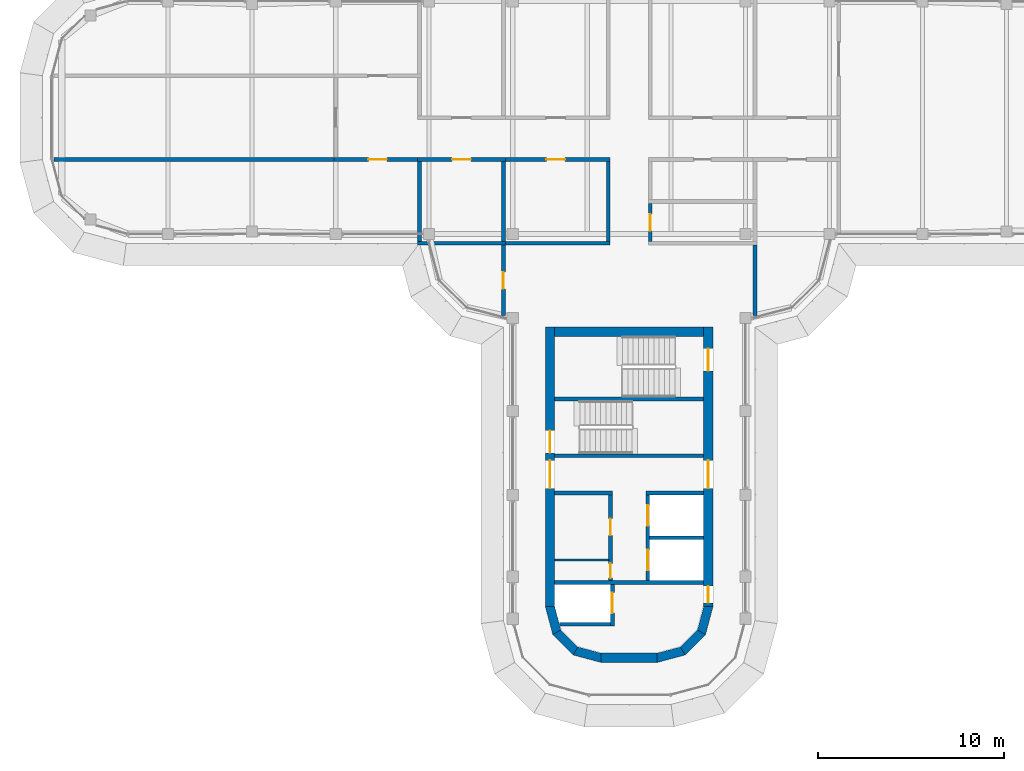
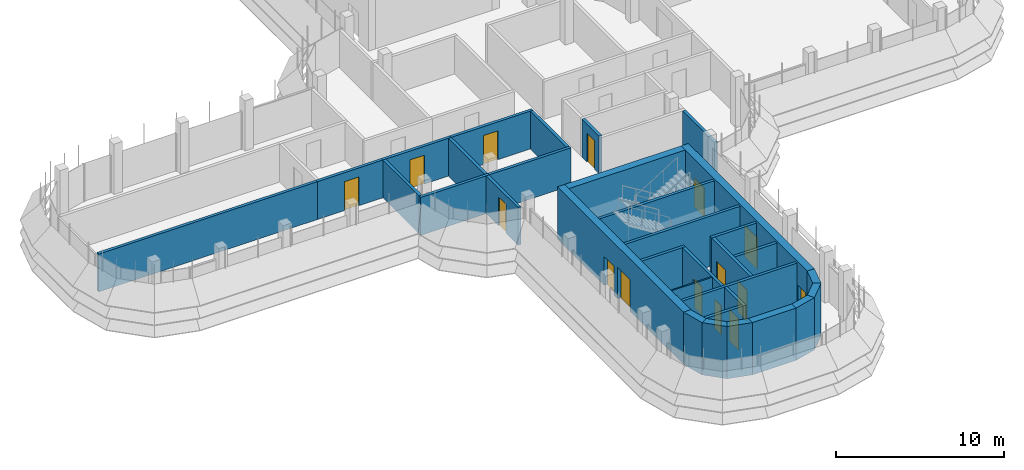
# One storey, part 13 of 19: 33 walls, 15 doors, 15 openings.
"""IFC4 building model written with IfcOpenShell, lengths in metres."""

from ifc_helpers import new_model, si_unit, direction, frame, frame_2d, origin, place, context, subcontext, project, spatial, polyline, rectangle, outline, extrude, material, layer, layer_set, type_object, element, fill, save


model = new_model("IFC4")

# Units and contexts
model_context = context("Model", 3, precision=1e-05, world=origin(), true_north=direction((0.0, 1.0)))
body_context = subcontext(model_context, "Body", "Model", "MODEL_VIEW")
ifc_project = project(units=[si_unit("LENGTHUNIT", "METRE"), si_unit("AREAUNIT", "SQUARE_METRE"), si_unit("VOLUMEUNIT", "CUBIC_METRE"), si_unit("PLANEANGLEUNIT", "RADIAN"), si_unit("MASSUNIT", "GRAM", prefix="KILO")], contexts=[model_context])

# Site, building, storey
site_placement = place(None, origin())
site = spatial("IfcSite", under=ifc_project, at=site_placement, CompositionType="ELEMENT")
building_placement = place(site_placement, origin())
building = spatial("IfcBuilding", under=site, at=building_placement, Name="Zarbagh Exchange Tower", CompositionType="ELEMENT")
storey_placement = place(building_placement, frame((0.0, 0.0, 280.199951171875)))
storey = spatial("IfcBuildingStorey", under=building, at=storey_placement, Name="L69", CompositionType="ELEMENT", Elevation=280.199951171875)

# Wall
ifc_material_1 = material(Name="Dense blockwork", Category="masonry")
ifc_layer_1 = layer(ifc_material_1, 0.10009765625)
ifc_layer_set_1 = layer_set([ifc_layer_1], Name="Core partition 100 mm blockwork")
wall_type_1 = type_object("IfcWallType", Name="Core partition 100 mm blockwork", PredefinedType="PARTITIONING", material=ifc_layer_set_1)
wall_1_placement = place(storey_placement, frame((-1.10009765625, -23.75, 0.0), z_axis=(0.0, 0.0, 1.0), x_axis=(-1.0, 0.0, 0.0)))
element("IfcWall", 1, at=wall_1_placement, inside=storey, type_object=wall_type_1, Name="South core partition wall CUT-E-460", PredefinedType="PARTITIONING", context=body_context, shape_type="SweptSolid", body=[
    extrude(rectangle(XDim=2.89990234375, YDim=0.10009765625, at=frame_2d((1.449951171875, 0.0))), origin(), (0.0, 0.0, 1.0), 3.650146484375),
])

# Wall, opening, door
ifc_material_2 = material(Name="Fire-rated plasterboard partition")
ifc_layer_2 = layer(ifc_material_2, 0.199951171875)
ifc_layer_set_2 = layer_set([ifc_layer_2], Name="RATED PARTITION 200")
wall_type_2 = type_object("IfcWallType", Name="RATED PARTITION 200", PredefinedType="PARTITIONING", material=ifc_layer_set_2)
wall_2_placement = place(storey_placement, frame((-1.02490234375, -2.25, 0.0), z_axis=(0.0, 0.0, 1.0), x_axis=(-1.0, 0.0, 0.0)))
wall_2 = element("IfcWall", 2, at=wall_2_placement, inside=storey, type_object=wall_type_2, Name="Partition W-2907", PredefinedType="PARTITIONING", context=body_context, shape_type="SweptSolid", body=[
    extrude(rectangle(XDim=5.8251953125, YDim=0.199951171875, at=frame_2d((2.91259765625, 0.0))), origin(), (0.0, 0.0, 1.0), 2.75),
])
opening_1_placement = place(wall_2_placement, frame((2.41259765625, 0.0, 0.0)))
opening_1 = element("IfcOpeningElement", 3, at=opening_1_placement, cuts=wall_2, Name="Opening D-2911", PredefinedType="OPENING", context=body_context, shape_type="SweptSolid", body=[
    extrude(rectangle(XDim=1.0, YDim=2.10009765625, at=frame_2d((0.5, 1.050048828125))), frame((0.0, 0.10986328125, 0.0), z_axis=(0.0, -1.0, 0.0), x_axis=(1.0, 0.0, 0.0)), (0.0, 0.0, 1.0), 0.219970703125),
])
ifc_material_3 = material(Name="Steel door set", Category="steel")
door_type_1 = type_object("IfcDoorType", Name="FIRE DOOR 1000 X 2100 FD30S", OperationType="NOTDEFINED", PredefinedType="DOOR", material=ifc_material_3)
door_1_placement = place(opening_1_placement, origin())
door_1 = element("IfcDoor", 4, at=door_1_placement, inside=storey, type_object=door_type_1, Name="Door D-2911", OperationType="SINGLE_SWING_RIGHT", OverallHeight=2.10009765625, OverallWidth=1.0, PredefinedType="DOOR", context=body_context, shape_type="SweptSolid", body=[
    extrude(rectangle(XDim=1.0, YDim=2.10009765625, at=frame_2d((0.5, 1.050048828125))), frame((0.0, 0.02490234375, 0.0), z_axis=(0.0, -1.0, 0.0), x_axis=(1.0, 0.0, 0.0)), (0.0, 0.0, 1.0), 0.050048828125),
])
fill(opening_1, door_1)

wall_3_placement = place(storey_placement, frame((-6.64990234375, -2.25, 0.0), z_axis=(0.0, 0.0, 1.0), x_axis=(-1.0, 0.0, 0.0)))
wall_3 = element("IfcWall", 5, at=wall_3_placement, inside=storey, type_object=wall_type_2, Name="Partition W-2908", PredefinedType="PARTITIONING", context=body_context, shape_type="SweptSolid", body=[
    extrude(rectangle(XDim=4.7001953125, YDim=0.199951171875, at=frame_2d((2.35009765625, 0.0))), origin(), (0.0, 0.0, 1.0), 2.75),
])
opening_2_placement = place(wall_3_placement, frame((1.85009765625, 0.0, 0.0)))
opening_2 = element("IfcOpeningElement", 6, at=opening_2_placement, cuts=wall_3, Name="Opening D-2912", PredefinedType="OPENING", context=body_context, shape_type="SweptSolid", body=[
    extrude(rectangle(XDim=1.0, YDim=2.10009765625, at=frame_2d((0.5, 1.050048828125))), frame((0.0, 0.10986328125, 0.0), z_axis=(0.0, -1.0, 0.0), x_axis=(1.0, 0.0, 0.0)), (0.0, 0.0, 1.0), 0.219970703125),
])
door_2_placement = place(opening_2_placement, origin())
door_2 = element("IfcDoor", 7, at=door_2_placement, inside=storey, type_object=door_type_1, Name="Door D-2912", OperationType="SINGLE_SWING_RIGHT", OverallHeight=2.10009765625, OverallWidth=1.0, PredefinedType="DOOR", context=body_context, shape_type="SweptSolid", body=[
    extrude(rectangle(XDim=1.0, YDim=2.10009765625, at=frame_2d((0.5, 1.050048828125))), frame((0.0, 0.02490234375, 0.0), z_axis=(0.0, -1.0, 0.0), x_axis=(1.0, 0.0, 0.0)), (0.0, 0.0, 1.0), 0.050048828125),
])
fill(opening_2, door_2)

wall_4_placement = place(storey_placement, frame((1.125, -4.60009765625, 0.0), z_axis=(0.0, 0.0, 1.0), x_axis=(0.0, -1.0, 0.0)))
wall_4 = element("IfcWall", 8, at=wall_4_placement, inside=storey, type_object=wall_type_2, Name="Partition W-2913", PredefinedType="PARTITIONING", context=body_context, shape_type="SweptSolid", body=[
    extrude(rectangle(XDim=2.0498046875, YDim=0.199951171875, at=frame_2d((1.02490234375, 0.0))), origin(), (0.0, 0.0, 1.0), 2.75),
])
opening_3_placement = place(wall_4_placement, frame((0.574951171875, 0.0, 0.0)))
opening_3 = element("IfcOpeningElement", 9, at=opening_3_placement, cuts=wall_4, Name="Opening D-2909", PredefinedType="OPENING", context=body_context, shape_type="SweptSolid", body=[
    extrude(rectangle(XDim=0.89990234375, YDim=2.10009765625, at=frame_2d((0.449951171875, 1.050048828125))), frame((0.0, 0.10986328125, 0.0), z_axis=(0.0, -1.0, 0.0), x_axis=(1.0, 0.0, 0.0)), (0.0, 0.0, 1.0), 0.219970703125),
])
ifc_material_4 = material(Name="Timber door leaf", Category="wood")
door_type_2 = type_object("IfcDoorType", Name="DOOR 900 X 2100", OperationType="NOTDEFINED", PredefinedType="DOOR", material=ifc_material_4)
door_3_placement = place(opening_3_placement, origin())
door_3 = element("IfcDoor", 10, at=door_3_placement, inside=storey, type_object=door_type_2, Name="Door D-2909", OperationType="SINGLE_SWING_RIGHT", OverallHeight=2.10009765625, OverallWidth=0.89990234375, PredefinedType="DOOR", context=body_context, shape_type="SweptSolid", body=[
    extrude(rectangle(XDim=0.89990234375, YDim=2.10009765625, at=frame_2d((0.449951171875, 1.050048828125))), frame((0.0, 0.02490234375, 0.0), z_axis=(0.0, -1.0, 0.0), x_axis=(1.0, 0.0, 0.0)), (0.0, 0.0, 1.0), 0.050048828125),
])
fill(opening_3, door_3)

# Walls
wall_5_placement = place(storey_placement, frame((-1.125, -6.64990234375, 0.0), z_axis=(0.0, 0.0, 1.0), x_axis=(0.0, 1.0, 0.0)))
element("IfcWall", 11, at=wall_5_placement, inside=storey, type_object=wall_type_2, Name="Partition W-2914", PredefinedType="PARTITIONING", context=body_context, shape_type="SweptSolid", body=[
    extrude(rectangle(XDim=4.2998046875, YDim=0.199951171875, at=frame_2d((2.14990234375, 0.0))), origin(), (0.0, 0.0, 1.0), 2.75),
])
wall_6_placement = place(storey_placement, frame((6.75, -10.6298828125, 0.0), z_axis=(0.0, 0.0, 1.0), x_axis=(0.0, 1.0, 0.0)))
element("IfcWall", 12, at=wall_6_placement, inside=storey, type_object=wall_type_2, Name="Partition W-2920", PredefinedType="PARTITIONING", context=body_context, shape_type="SweptSolid", body=[
    extrude(rectangle(XDim=3.77978515625, YDim=0.199951171875, at=frame_2d((1.889892578125, 0.0))), origin(), (0.0, 0.0, 1.0), 2.75),
])
wall_7_placement = place(storey_placement, frame((-6.85009765625, -6.75, 0.0), z_axis=(0.0, 0.0, 1.0), x_axis=(1.0, 0.0, 0.0)))
element("IfcWall", 13, at=wall_7_placement, inside=storey, type_object=wall_type_2, Name="Partition W-2921", PredefinedType="PARTITIONING", context=body_context, shape_type="SweptSolid", body=[
    extrude(rectangle(XDim=5.8251953125, YDim=0.199951171875, at=frame_2d((2.91259765625, 0.0))), origin(), (0.0, 0.0, 1.0), 2.75),
])

# Wall, opening, door
wall_8_placement = place(storey_placement, frame((-6.75, -10.6298828125, 0.0), z_axis=(0.0, 0.0, 1.0), x_axis=(0.0, 1.0, 0.0)))
wall_8 = element("IfcWall", 14, at=wall_8_placement, inside=storey, type_object=wall_type_2, Name="Partition W-2922", PredefinedType="PARTITIONING", context=body_context, shape_type="SweptSolid", body=[
    extrude(rectangle(XDim=3.77978515625, YDim=0.199951171875, at=frame_2d((1.889892578125, 0.0))), origin(), (0.0, 0.0, 1.0), 2.75),
])
opening_4_placement = place(wall_8_placement, frame((1.43994140625, 0.0, 0.0)))
opening_4 = element("IfcOpeningElement", 15, at=opening_4_placement, cuts=wall_8, Name="Opening D-2913", PredefinedType="OPENING", context=body_context, shape_type="SweptSolid", body=[
    extrude(rectangle(XDim=0.89990234375, YDim=2.10009765625, at=frame_2d((0.449951171875, 1.050048828125))), frame((0.0, 0.10986328125, 0.0), z_axis=(0.0, -1.0, 0.0), x_axis=(1.0, 0.0, 0.0)), (0.0, 0.0, 1.0), 0.219970703125),
])
door_4_placement = place(opening_4_placement, origin())
door_4 = element("IfcDoor", 16, at=door_4_placement, inside=storey, type_object=door_type_2, Name="Door D-2913", OperationType="SINGLE_SWING_RIGHT", OverallHeight=2.10009765625, OverallWidth=0.89990234375, PredefinedType="DOOR", context=body_context, shape_type="SweptSolid", body=[
    extrude(rectangle(XDim=0.89990234375, YDim=2.10009765625, at=frame_2d((0.449951171875, 1.050048828125))), frame((0.0, 0.02490234375, 0.0), z_axis=(0.0, -1.0, 0.0), x_axis=(1.0, 0.0, 0.0)), (0.0, 0.0, 1.0), 0.050048828125),
])
fill(opening_4, door_4)

# Walls
wall_9_placement = place(storey_placement, frame((-6.75, -6.64990234375, 0.0), z_axis=(0.0, 0.0, 1.0), x_axis=(0.0, 1.0, 0.0)))
element("IfcWall", 17, at=wall_9_placement, inside=storey, type_object=wall_type_2, Name="Partition W-2932", PredefinedType="PARTITIONING", context=body_context, shape_type="SweptSolid", body=[
    extrude(rectangle(XDim=4.2998046875, YDim=0.199951171875, at=frame_2d((2.14990234375, 0.0))), origin(), (0.0, 0.0, 1.0), 2.75),
])
wall_10_placement = place(storey_placement, frame((-11.35009765625, -6.75, 0.0), z_axis=(0.0, 0.0, 1.0), x_axis=(1.0, 0.0, 0.0)))
element("IfcWall", 18, at=wall_10_placement, inside=storey, type_object=wall_type_2, Name="Partition W-2933", PredefinedType="PARTITIONING", context=body_context, shape_type="SweptSolid", body=[
    extrude(rectangle(XDim=4.7001953125, YDim=0.199951171875, at=frame_2d((2.35009765625, 0.0))), origin(), (0.0, 0.0, 1.0), 2.75),
])
wall_11_placement = place(storey_placement, frame((-11.25, -6.64990234375, 0.0), z_axis=(0.0, 0.0, 1.0), x_axis=(0.0, 1.0, 0.0)))
element("IfcWall", 19, at=wall_11_placement, inside=storey, type_object=wall_type_2, Name="Partition W-2934", PredefinedType="PARTITIONING", context=body_context, shape_type="SweptSolid", body=[
    extrude(rectangle(XDim=4.2998046875, YDim=0.199951171875, at=frame_2d((2.14990234375, 0.0))), origin(), (0.0, 0.0, 1.0), 2.75),
])

# Wall, opening, door
wall_12_placement = place(storey_placement, frame((-11.14990234375, -2.25, 0.0), z_axis=(0.0, 0.0, 1.0), x_axis=(-1.0, 0.0, 0.0)))
wall_12 = element("IfcWall", 20, at=wall_12_placement, inside=storey, type_object=wall_type_2, Name="Partition W-2939", PredefinedType="PARTITIONING", context=body_context, shape_type="SweptSolid", body=[
    extrude(rectangle(XDim=4.7001953125, YDim=0.199951171875, at=frame_2d((2.35009765625, 0.0))), origin(), (0.0, 0.0, 1.0), 2.75),
])
opening_5_placement = place(wall_12_placement, frame((1.85009765625, 0.0, 0.0)))
opening_5 = element("IfcOpeningElement", 21, at=opening_5_placement, cuts=wall_12, Name="Opening D-2916", PredefinedType="OPENING", context=body_context, shape_type="SweptSolid", body=[
    extrude(rectangle(XDim=1.0, YDim=2.10009765625, at=frame_2d((0.5, 1.050048828125))), frame((0.0, 0.10986328125, 0.0), z_axis=(0.0, -1.0, 0.0), x_axis=(1.0, 0.0, 0.0)), (0.0, 0.0, 1.0), 0.219970703125),
])
door_5_placement = place(opening_5_placement, origin())
door_5 = element("IfcDoor", 22, at=door_5_placement, inside=storey, type_object=door_type_1, Name="Door D-2916", OperationType="SINGLE_SWING_RIGHT", OverallHeight=2.10009765625, OverallWidth=1.0, PredefinedType="DOOR", context=body_context, shape_type="SweptSolid", body=[
    extrude(rectangle(XDim=1.0, YDim=2.10009765625, at=frame_2d((0.5, 1.050048828125))), frame((0.0, 0.02490234375, 0.0), z_axis=(0.0, -1.0, 0.0), x_axis=(1.0, 0.0, 0.0)), (0.0, 0.0, 1.0), 0.050048828125),
])
fill(opening_5, door_5)

# Walls
wall_13_placement = place(storey_placement, frame((-30.8798828125, -2.25, 0.0), z_axis=(0.0, 0.0, 1.0), x_axis=(1.0, 0.0, 0.0)))
element("IfcWall", 23, at=wall_13_placement, inside=storey, type_object=wall_type_2, Name="Partition W-2942", PredefinedType="PARTITIONING", context=body_context, shape_type="SweptSolid", body=[
    extrude(rectangle(XDim=15.22998046875, YDim=0.199951171875, at=frame_2d((7.614990234375, 0.0))), origin(), (0.0, 0.0, 1.0), 2.75),
])
ifc_material_5 = material(Name="Concrete C40/50", Category="concrete")
ifc_layer_3 = layer(ifc_material_5, 0.5)
ifc_layer_set_3 = layer_set([ifc_layer_3], Name="RC core corner wall 500 C40/50")
wall_type_3 = type_object("IfcWallType", Name="RC core corner wall 500 C40/50", PredefinedType="SHEAR", material=ifc_layer_set_3)
wall_14_placement = place(storey_placement, origin())
element("IfcWall", 24, at=wall_14_placement, inside=storey, type_object=wall_type_3, Name="CW10 core S corner W", PredefinedType="SHEAR", context=body_context, shape_type="SweptSolid", body=[
    extrude(outline(polyline([(-4.5, -26.25), (-4.09814453125, -27.75), (-3.6650390625, -27.5), (-4.0, -26.25), (-4.5, -26.25)])), origin(), (0.0, 0.0, 1.0), 3.800048828125),
])
wall_15_placement = place(storey_placement, origin())
element("IfcWall", 25, at=wall_15_placement, inside=storey, type_object=wall_type_3, Name="CW10 core S corner W", PredefinedType="SHEAR", context=body_context, shape_type="SweptSolid", body=[
    extrude(outline(polyline([(-4.09814453125, -27.75), (-3.0, -28.84814453125), (-2.75, -28.4150390625), (-3.6650390625, -27.5), (-4.09814453125, -27.75)])), origin(), (0.0, 0.0, 1.0), 3.800048828125),
])
wall_16_placement = place(storey_placement, origin())
element("IfcWall", 26, at=wall_16_placement, inside=storey, type_object=wall_type_3, Name="CW10 core S corner W", PredefinedType="SHEAR", context=body_context, shape_type="SweptSolid", body=[
    extrude(outline(polyline([(-3.0, -28.84814453125), (-1.5, -29.25), (-1.5, -28.75), (-2.75, -28.4150390625), (-3.0, -28.84814453125)])), origin(), (0.0, 0.0, 1.0), 3.800048828125),
])
wall_17_placement = place(storey_placement, origin())
element("IfcWall", 27, at=wall_17_placement, inside=storey, type_object=wall_type_3, Name="CW10 core S corner E", PredefinedType="SHEAR", context=body_context, shape_type="SweptSolid", body=[
    extrude(outline(polyline([(4.5, -26.25), (4.09814453125, -27.75), (3.6650390625, -27.5), (4.0, -26.25), (4.5, -26.25)])), origin(), (0.0, 0.0, 1.0), 3.800048828125),
])
wall_18_placement = place(storey_placement, origin())
element("IfcWall", 28, at=wall_18_placement, inside=storey, type_object=wall_type_3, Name="CW10 core S corner E", PredefinedType="SHEAR", context=body_context, shape_type="SweptSolid", body=[
    extrude(outline(polyline([(4.09814453125, -27.75), (3.0, -28.84814453125), (2.75, -28.4150390625), (3.6650390625, -27.5), (4.09814453125, -27.75)])), origin(), (0.0, 0.0, 1.0), 3.800048828125),
])
wall_19_placement = place(storey_placement, origin())
element("IfcWall", 29, at=wall_19_placement, inside=storey, type_object=wall_type_3, Name="CW10 core S corner E", PredefinedType="SHEAR", context=body_context, shape_type="SweptSolid", body=[
    extrude(outline(polyline([(3.0, -28.84814453125), (1.5, -29.25), (1.5, -28.75), (2.75, -28.4150390625), (3.0, -28.84814453125)])), origin(), (0.0, 0.0, 1.0), 3.800048828125),
])

# Wall, openings, doors
ifc_layer_4 = layer(ifc_material_5, 0.5)
ifc_layer_set_4 = layer_set([ifc_layer_4], Name="RC core wall 500 C40/50")
wall_type_4 = type_object("IfcWallType", Name="RC core wall 500 C40/50", PredefinedType="SHEAR", material=ifc_layer_set_4)
wall_20_placement = place(storey_placement, frame((-4.25, -11.25, 0.0), z_axis=(0.0, 0.0, 1.0), x_axis=(0.0, -1.0, 0.0)))
wall_20 = element("IfcWall", 30, at=wall_20_placement, inside=storey, type_object=wall_type_4, Name="CW9 core S W", PredefinedType="SHEAR", context=body_context, shape_type="SweptSolid", body=[
    extrude(rectangle(XDim=15.0, YDim=0.5, at=frame_2d((7.5, 0.0))), origin(), (0.0, 0.0, 1.0), 3.800048828125),
])
opening_6_placement = place(wall_20_placement, frame((7.14990234375, 0.0, 0.0)))
opening_6 = element("IfcOpeningElement", 31, at=opening_6_placement, cuts=wall_20, Name="Opening CD1-1500", PredefinedType="OPENING", context=body_context, shape_type="SweptSolid", body=[
    extrude(rectangle(XDim=1.5, YDim=2.300048828125, at=frame_2d((0.75, 1.14990234375))), frame((0.0, 0.260009765625, 0.0), z_axis=(0.0, -1.0, 0.0), x_axis=(1.0, 0.0, 0.0)), (0.0, 0.0, 1.0), 0.52001953125),
])
opening_7_placement = place(wall_20_placement, frame((5.550048828125, 0.0, 0.0)))
opening_7 = element("IfcOpeningElement", 32, at=opening_7_placement, cuts=wall_20, Name="Opening SD1-1200", PredefinedType="OPENING", context=body_context, shape_type="SweptSolid", body=[
    extrude(rectangle(XDim=1.199951171875, YDim=2.10009765625, at=frame_2d((0.60009765625, 1.050048828125))), frame((0.0, 0.260009765625, 0.0), z_axis=(0.0, -1.0, 0.0), x_axis=(1.0, 0.0, 0.0)), (0.0, 0.0, 1.0), 0.52001953125),
])
ifc_material_6 = material(Name="Steel", Category="steel")
door_type_3 = type_object("IfcDoorType", Name="Exit stair door 1200 x 2100", OperationType="NOTDEFINED", PredefinedType="DOOR", material=ifc_material_6)
door_6_placement = place(opening_7_placement, origin())
door_6 = element("IfcDoor", 33, at=door_6_placement, inside=storey, type_object=door_type_3, Name="South core stair door ST1", OperationType="SINGLE_SWING_RIGHT", OverallHeight=2.10009765625, OverallWidth=1.199951171875, PredefinedType="DOOR", context=body_context, shape_type="SweptSolid", body=[
    extrude(rectangle(XDim=1.199951171875, YDim=2.10009765625, at=frame_2d((0.60009765625, 1.050048828125))), frame((0.0, 0.02490234375, 0.0), z_axis=(0.0, -1.0, 0.0), x_axis=(1.0, 0.0, 0.0)), (0.0, 0.0, 1.0), 0.050048828125),
])
fill(opening_7, door_6)
door_type_4 = type_object("IfcDoorType", Name="Lift lobby double door 1500 x 2300", OperationType="NOTDEFINED", PredefinedType="DOOR", material=ifc_material_6)
door_7_placement = place(opening_6_placement, origin())
door_7 = element("IfcDoor", 34, at=door_7_placement, inside=storey, type_object=door_type_4, Name="South core lift lobby door LOBBY-E", OperationType="DOUBLE_DOOR_SINGLE_SWING", OverallHeight=2.300048828125, OverallWidth=1.5, PredefinedType="DOOR", context=body_context, shape_type="SweptSolid", body=[
    extrude(rectangle(XDim=1.5, YDim=2.300048828125, at=frame_2d((0.75, 1.14990234375))), frame((0.0, 0.02490234375, 0.0), z_axis=(0.0, -1.0, 0.0), x_axis=(1.0, 0.0, 0.0)), (0.0, 0.0, 1.0), 0.050048828125),
])
fill(opening_6, door_7)

wall_21_placement = place(storey_placement, frame((4.25, -11.25, 0.0), z_axis=(0.0, 0.0, 1.0), x_axis=(0.0, -1.0, 0.0)))
wall_21 = element("IfcWall", 35, at=wall_21_placement, inside=storey, type_object=wall_type_4, Name="CW9 core S E", PredefinedType="SHEAR", context=body_context, shape_type="SweptSolid", body=[
    extrude(rectangle(XDim=15.0, YDim=0.5, at=frame_2d((7.5, 0.0))), origin(), (0.0, 0.0, 1.0), 3.800048828125),
])
opening_8_placement = place(wall_21_placement, frame((7.14990234375, 0.0, 0.0)))
opening_8 = element("IfcOpeningElement", 36, at=opening_8_placement, cuts=wall_21, Name="Opening CD1-1500", PredefinedType="OPENING", context=body_context, shape_type="SweptSolid", body=[
    extrude(rectangle(XDim=1.5, YDim=2.300048828125, at=frame_2d((0.75, 1.14990234375))), frame((0.0, 0.260009765625, 0.0), z_axis=(0.0, -1.0, 0.0), x_axis=(1.0, 0.0, 0.0)), (0.0, 0.0, 1.0), 0.52001953125),
])
opening_9_placement = place(wall_21_placement, frame((13.89990234375, 0.0, 0.0)))
opening_9 = element("IfcOpeningElement", 37, at=opening_9_placement, cuts=wall_21, Name="Opening CD2-900", PredefinedType="OPENING", context=body_context, shape_type="SweptSolid", body=[
    extrude(rectangle(XDim=0.89990234375, YDim=2.10009765625, at=frame_2d((0.449951171875, 1.050048828125))), frame((0.0, 0.260009765625, 0.0), z_axis=(0.0, -1.0, 0.0), x_axis=(1.0, 0.0, 0.0)), (0.0, 0.0, 1.0), 0.52001953125),
])
opening_10_placement = place(wall_21_placement, frame((1.14990234375, 0.0, 0.0)))
opening_10 = element("IfcOpeningElement", 38, at=opening_10_placement, cuts=wall_21, Name="Opening SD1-1200", PredefinedType="OPENING", context=body_context, shape_type="SweptSolid", body=[
    extrude(rectangle(XDim=1.199951171875, YDim=2.10009765625, at=frame_2d((0.60009765625, 1.050048828125))), frame((0.0, 0.260009765625, 0.0), z_axis=(0.0, -1.0, 0.0), x_axis=(1.0, 0.0, 0.0)), (0.0, 0.0, 1.0), 0.52001953125),
])
door_8_placement = place(opening_10_placement, origin())
door_8 = element("IfcDoor", 39, at=door_8_placement, inside=storey, type_object=door_type_3, Name="South core stair door ST2", OperationType="SINGLE_SWING_RIGHT", OverallHeight=2.10009765625, OverallWidth=1.199951171875, PredefinedType="DOOR", context=body_context, shape_type="SweptSolid", body=[
    extrude(rectangle(XDim=1.199951171875, YDim=2.10009765625, at=frame_2d((0.60009765625, 1.050048828125))), frame((0.0, 0.02490234375, 0.0), z_axis=(0.0, -1.0, 0.0), x_axis=(1.0, 0.0, 0.0)), (0.0, 0.0, 1.0), 0.050048828125),
])
fill(opening_10, door_8)
door_type_5 = type_object("IfcDoorType", Name="Firefighting lobby door 900 x 2100", OperationType="NOTDEFINED", PredefinedType="DOOR", material=ifc_material_6)
door_9_placement = place(opening_9_placement, origin())
door_9 = element("IfcDoor", 40, at=door_9_placement, inside=storey, type_object=door_type_5, Name="South core firefighting lobby door FF-W", OperationType="SINGLE_SWING_RIGHT", OverallHeight=2.10009765625, OverallWidth=0.89990234375, PredefinedType="DOOR", context=body_context, shape_type="SweptSolid", body=[
    extrude(rectangle(XDim=0.89990234375, YDim=2.10009765625, at=frame_2d((0.449951171875, 1.050048828125))), frame((0.0, 0.02490234375, 0.0), z_axis=(0.0, -1.0, 0.0), x_axis=(1.0, 0.0, 0.0)), (0.0, 0.0, 1.0), 0.050048828125),
])
fill(opening_9, door_9)
door_10_placement = place(opening_8_placement, origin())
door_10 = element("IfcDoor", 41, at=door_10_placement, inside=storey, type_object=door_type_4, Name="South core lift lobby door LOBBY-W", OperationType="DOUBLE_DOOR_SINGLE_SWING", OverallHeight=2.300048828125, OverallWidth=1.5, PredefinedType="DOOR", context=body_context, shape_type="SweptSolid", body=[
    extrude(rectangle(XDim=1.5, YDim=2.300048828125, at=frame_2d((0.75, 1.14990234375))), frame((0.0, 0.02490234375, 0.0), z_axis=(0.0, -1.0, 0.0), x_axis=(1.0, 0.0, 0.0)), (0.0, 0.0, 1.0), 0.050048828125),
])
fill(opening_8, door_10)

# Walls
wall_22_placement = place(storey_placement, frame((-4.0, -11.5, 0.0), z_axis=(0.0, 0.0, 1.0), x_axis=(1.0, 0.0, 0.0)))
element("IfcWall", 42, at=wall_22_placement, inside=storey, type_object=wall_type_4, Name="CW9 core S inner end", PredefinedType="SHEAR", context=body_context, shape_type="SweptSolid", body=[
    extrude(rectangle(XDim=8.0, YDim=0.5, at=frame_2d((4.0, 0.0))), origin(), (0.0, 0.0, 1.0), 3.800048828125),
])
wall_23_placement = place(storey_placement, frame((-1.5, -29.0, 0.0), z_axis=(0.0, 0.0, 1.0), x_axis=(1.0, 0.0, 0.0)))
element("IfcWall", 43, at=wall_23_placement, inside=storey, type_object=wall_type_4, Name="CW9 core S outer end", PredefinedType="SHEAR", context=body_context, shape_type="SweptSolid", body=[
    extrude(rectangle(XDim=3.0, YDim=0.5, at=frame_2d((1.5, 0.0))), origin(), (0.0, 0.0, 1.0), 3.800048828125),
])
ifc_layer_5 = layer(ifc_material_1, 0.199951171875)
ifc_layer_set_5 = layer_set([ifc_layer_5], Name="Shaft wall 200 mm blockwork")
wall_type_5 = type_object("IfcWallType", Name="Shaft wall 200 mm blockwork", PredefinedType="PARTITIONING", material=ifc_layer_set_5)
wall_24_placement = place(storey_placement, frame((4.0, -20.14990234375, 0.0), z_axis=(0.0, 0.0, 1.0), x_axis=(-1.0, 0.0, 0.0)))
element("IfcWall", 44, at=wall_24_placement, inside=storey, type_object=wall_type_5, Name="South core shaft wall AB-W", PredefinedType="PARTITIONING", context=body_context, shape_type="SweptSolid", body=[
    extrude(rectangle(XDim=3.10009765625, YDim=0.199951171875, at=frame_2d((1.550048828125, 0.0))), origin(), (0.0, 0.0, 1.0), 3.650146484375),
])

# Wall, openings, doors
wall_25_placement = place(storey_placement, frame((1.0, -24.85009765625, 0.0), z_axis=(0.0, 0.0, 1.0), x_axis=(0.0, 1.0, 0.0)))
wall_25 = element("IfcWall", 45, at=wall_25_placement, inside=storey, type_object=wall_type_5, Name="South core shaft wall LW-W", PredefinedType="PARTITIONING", context=body_context, shape_type="SweptSolid", body=[
    extrude(rectangle(XDim=4.60009765625, YDim=0.199951171875, at=frame_2d((2.300048828125, 0.0))), origin(), (0.0, 0.0, 1.0), 3.650146484375),
])
opening_11_placement = place(wall_25_placement, frame((0.550048828125, 0.0, 0.0)))
opening_11 = element("IfcOpeningElement", 46, at=opening_11_placement, cuts=wall_25, Name="Opening LD-1100", PredefinedType="OPENING", context=body_context, shape_type="SweptSolid", body=[
    extrude(rectangle(XDim=1.10009765625, YDim=2.300048828125, at=frame_2d((0.550048828125, 1.14990234375))), frame((0.0, 0.10986328125, 0.0), z_axis=(0.0, -1.0, 0.0), x_axis=(1.0, 0.0, 0.0)), (0.0, 0.0, 1.0), 0.219970703125),
])
opening_12_placement = place(wall_25_placement, frame((2.949951171875, 0.0, 0.0)))
opening_12 = element("IfcOpeningElement", 47, at=opening_12_placement, cuts=wall_25, Name="Opening LD-1100", PredefinedType="OPENING", context=body_context, shape_type="SweptSolid", body=[
    extrude(rectangle(XDim=1.10009765625, YDim=2.300048828125, at=frame_2d((0.550048828125, 1.14990234375))), frame((0.0, 0.10986328125, 0.0), z_axis=(0.0, -1.0, 0.0), x_axis=(1.0, 0.0, 0.0)), (0.0, 0.0, 1.0), 0.219970703125),
])
ifc_material_7 = material(Name="Stainless steel", Category="steel")
door_type_6 = type_object("IfcDoorType", Name="Lift landing door 1100 x 2300", OperationType="NOTDEFINED", PredefinedType="DOOR", material=ifc_material_7)
door_11_placement = place(opening_11_placement, origin())
door_11 = element("IfcDoor", 48, at=door_11_placement, inside=storey, type_object=door_type_6, Name="South core lift landing door LD-P-S1", OperationType="DOUBLE_DOOR_SLIDING", OverallHeight=2.300048828125, OverallWidth=1.10009765625, PredefinedType="DOOR", context=body_context, shape_type="SweptSolid", body=[
    extrude(rectangle(XDim=1.10009765625, YDim=2.300048828125, at=frame_2d((0.550048828125, 1.14990234375))), frame((0.0, 0.02490234375, 0.0), z_axis=(0.0, -1.0, 0.0), x_axis=(1.0, 0.0, 0.0)), (0.0, 0.0, 1.0), 0.050048828125),
])
fill(opening_11, door_11)
door_12_placement = place(opening_12_placement, origin())
door_12 = element("IfcDoor", 49, at=door_12_placement, inside=storey, type_object=door_type_6, Name="South core lift landing door LD-P-S2", OperationType="DOUBLE_DOOR_SLIDING", OverallHeight=2.300048828125, OverallWidth=1.10009765625, PredefinedType="DOOR", context=body_context, shape_type="SweptSolid", body=[
    extrude(rectangle(XDim=1.10009765625, YDim=2.300048828125, at=frame_2d((0.550048828125, 1.14990234375))), frame((0.0, 0.02490234375, 0.0), z_axis=(0.0, -1.0, 0.0), x_axis=(1.0, 0.0, 0.0)), (0.0, 0.0, 1.0), 0.050048828125),
])
fill(opening_12, door_12)

# Wall
wall_26_placement = place(storey_placement, frame((-0.89990234375, -20.14990234375, 0.0), z_axis=(0.0, 0.0, 1.0), x_axis=(-1.0, 0.0, 0.0)))
element("IfcWall", 50, at=wall_26_placement, inside=storey, type_object=wall_type_5, Name="South core shaft wall AB-E", PredefinedType="PARTITIONING", context=body_context, shape_type="SweptSolid", body=[
    extrude(rectangle(XDim=3.10009765625, YDim=0.199951171875, at=frame_2d((1.550048828125, 0.0))), origin(), (0.0, 0.0, 1.0), 3.650146484375),
])

# Wall, openings, doors
wall_27_placement = place(storey_placement, frame((-1.0, -24.85009765625, 0.0), z_axis=(0.0, 0.0, 1.0), x_axis=(0.0, 1.0, 0.0)))
wall_27 = element("IfcWall", 51, at=wall_27_placement, inside=storey, type_object=wall_type_5, Name="South core shaft wall LW-E", PredefinedType="PARTITIONING", context=body_context, shape_type="SweptSolid", body=[
    extrude(rectangle(XDim=4.60009765625, YDim=0.199951171875, at=frame_2d((2.300048828125, 0.0))), origin(), (0.0, 0.0, 1.0), 3.650146484375),
])
opening_13_placement = place(wall_27_placement, frame((0.125, 0.0, 0.0)))
opening_13 = element("IfcOpeningElement", 52, at=opening_13_placement, cuts=wall_27, Name="Opening CD3-800", PredefinedType="OPENING", context=body_context, shape_type="SweptSolid", body=[
    extrude(rectangle(XDim=0.800048828125, YDim=2.10009765625, at=frame_2d((0.39990234375, 1.050048828125))), frame((0.0, 0.10986328125, 0.0), z_axis=(0.0, -1.0, 0.0), x_axis=(1.0, 0.0, 0.0)), (0.0, 0.0, 1.0), 0.219970703125),
])
opening_14_placement = place(wall_27_placement, frame((2.425048828125, 0.0, 0.0)))
opening_14 = element("IfcOpeningElement", 53, at=opening_14_placement, cuts=wall_27, Name="Opening CD3-900", PredefinedType="OPENING", context=body_context, shape_type="SweptSolid", body=[
    extrude(rectangle(XDim=0.89990234375, YDim=2.10009765625, at=frame_2d((0.449951171875, 1.050048828125))), frame((0.0, 0.10986328125, 0.0), z_axis=(0.0, -1.0, 0.0), x_axis=(1.0, 0.0, 0.0)), (0.0, 0.0, 1.0), 0.219970703125),
])
door_type_7 = type_object("IfcDoorType", Name="Core room door 800 x 2100", OperationType="NOTDEFINED", PredefinedType="DOOR", material=ifc_material_6)
door_13_placement = place(opening_13_placement, origin())
door_13 = element("IfcDoor", 54, at=door_13_placement, inside=storey, type_object=door_type_7, Name="South core Store door RD-E-0", OperationType="SINGLE_SWING_RIGHT", OverallHeight=2.10009765625, OverallWidth=0.800048828125, PredefinedType="DOOR", context=body_context, shape_type="SweptSolid", body=[
    extrude(rectangle(XDim=0.800048828125, YDim=2.10009765625, at=frame_2d((0.39990234375, 1.050048828125))), frame((0.0, 0.02490234375, 0.0), z_axis=(0.0, -1.0, 0.0), x_axis=(1.0, 0.0, 0.0)), (0.0, 0.0, 1.0), 0.050048828125),
])
fill(opening_13, door_13)
door_type_8 = type_object("IfcDoorType", Name="Core room door 900 x 2100", OperationType="NOTDEFINED", PredefinedType="DOOR", material=ifc_material_6)
door_14_placement = place(opening_14_placement, origin())
door_14 = element("IfcDoor", 55, at=door_14_placement, inside=storey, type_object=door_type_8, Name="South core Accessible WC door RD-E-1", OperationType="SINGLE_SWING_RIGHT", OverallHeight=2.10009765625, OverallWidth=0.89990234375, PredefinedType="DOOR", context=body_context, shape_type="SweptSolid", body=[
    extrude(rectangle(XDim=0.89990234375, YDim=2.10009765625, at=frame_2d((0.449951171875, 1.050048828125))), frame((0.0, 0.02490234375, 0.0), z_axis=(0.0, -1.0, 0.0), x_axis=(1.0, 0.0, 0.0)), (0.0, 0.0, 1.0), 0.050048828125),
])
fill(opening_14, door_14)

# Walls
wall_28_placement = place(storey_placement, frame((4.0, -22.550048828125, 0.0), z_axis=(0.0, 0.0, 1.0), x_axis=(-1.0, 0.0, 0.0)))
element("IfcWall", 56, at=wall_28_placement, inside=storey, type_object=wall_type_5, Name="South core shaft wall TR-W", PredefinedType="PARTITIONING", context=body_context, shape_type="SweptSolid", body=[
    extrude(rectangle(XDim=2.89990234375, YDim=0.199951171875, at=frame_2d((1.449951171875, 0.0))), origin(), (0.0, 0.0, 1.0), 3.650146484375),
])
ifc_layer_6 = layer(ifc_material_5, 0.199951171875)
ifc_layer_set_6 = layer_set([ifc_layer_6], Name="Stair enclosure wall 200 mm RC C40/50")
wall_type_6 = type_object("IfcWallType", Name="Stair enclosure wall 200 mm RC C40/50", PredefinedType="SHEAR", material=ifc_layer_set_6)
wall_29_placement = place(storey_placement, frame((4.0, -24.949951171875, 0.0), z_axis=(0.0, 0.0, 1.0), x_axis=(-1.0, 0.0, 0.0)))
element("IfcWall", 57, at=wall_29_placement, inside=storey, type_object=wall_type_6, Name="South core lift shaft wall FFA", PredefinedType="SHEAR", context=body_context, shape_type="SweptSolid", body=[
    extrude(rectangle(XDim=8.0, YDim=0.199951171875, at=frame_2d((4.0, 0.0))), origin(), (0.0, 0.0, 1.0), 3.650146484375),
])

# Wall, opening, door
wall_30_placement = place(storey_placement, frame((-0.89990234375, -27.300048828125, 0.0), z_axis=(0.0, 0.0, 1.0), x_axis=(0.0, 1.0, 0.0)))
wall_30 = element("IfcWall", 58, at=wall_30_placement, inside=storey, type_object=wall_type_6, Name="South core lift shaft wall FFL", PredefinedType="SHEAR", context=body_context, shape_type="SweptSolid", body=[
    extrude(rectangle(XDim=2.25, YDim=0.199951171875, at=frame_2d((1.125, 0.0))), origin(), (0.0, 0.0, 1.0), 3.650146484375),
])
opening_15_placement = place(wall_30_placement, frame((0.699951171875, 0.0, 0.0)))
opening_15 = element("IfcOpeningElement", 59, at=opening_15_placement, cuts=wall_30, Name="Opening LD-1100", PredefinedType="OPENING", context=body_context, shape_type="SweptSolid", body=[
    extrude(rectangle(XDim=1.10009765625, YDim=2.300048828125, at=frame_2d((0.550048828125, 1.14990234375))), frame((0.0, 0.10986328125, 0.0), z_axis=(0.0, -1.0, 0.0), x_axis=(1.0, 0.0, 0.0)), (0.0, 0.0, 1.0), 0.219970703125),
])
door_15_placement = place(opening_15_placement, origin())
door_15 = element("IfcDoor", 60, at=door_15_placement, inside=storey, type_object=door_type_6, Name="South core lift landing door LD-F", OperationType="DOUBLE_DOOR_SLIDING", OverallHeight=2.300048828125, OverallWidth=1.10009765625, PredefinedType="DOOR", context=body_context, shape_type="SweptSolid", body=[
    extrude(rectangle(XDim=1.10009765625, YDim=2.300048828125, at=frame_2d((0.550048828125, 1.14990234375))), frame((0.0, 0.02490234375, 0.0), z_axis=(0.0, -1.0, 0.0), x_axis=(1.0, 0.0, 0.0)), (0.0, 0.0, 1.0), 0.050048828125),
])
fill(opening_15, door_15)

# Walls
wall_31_placement = place(storey_placement, origin())
element("IfcWall", 61, at=wall_31_placement, inside=storey, type_object=wall_type_6, Name="South core lift shaft wall FFX", PredefinedType="SHEAR", context=body_context, shape_type="SweptSolid", body=[
    extrude(outline(polyline([(-1.0, -27.10009765625), (-3.754638671875, -27.10009765625), (-3.700927734375, -27.300048828125), (-1.0, -27.300048828125), (-1.0, -27.10009765625)])), origin(), (0.0, 0.0, 1.0), 3.650146484375),
])
for number, where, z_axis, x_axis, name in (
    (62, (4.0, -18.14990234375, 0.0), (0.0, 0.0, 1.0), (-1.0, 0.0, 0.0), "South core stair wall BS"),
    (63, (4.0, -15.10009765625, 0.0), (0.0, 0.0, 1.0), (-1.0, 0.0, 0.0), "South core stair wall ST12"),
):
    element("IfcWall", number, at=place(storey_placement, frame(where, z_axis=z_axis, x_axis=x_axis)), inside=storey, type_object=wall_type_6, Name=name, PredefinedType="SHEAR", context=body_context, shape_type="SweptSolid", body=[
        extrude(rectangle(XDim=8.0, YDim=0.199951171875, at=frame_2d((4.0, 0.0))), origin(), (0.0, 0.0, 1.0), 3.650146484375),
    ])

save(model, "model.ifc")
